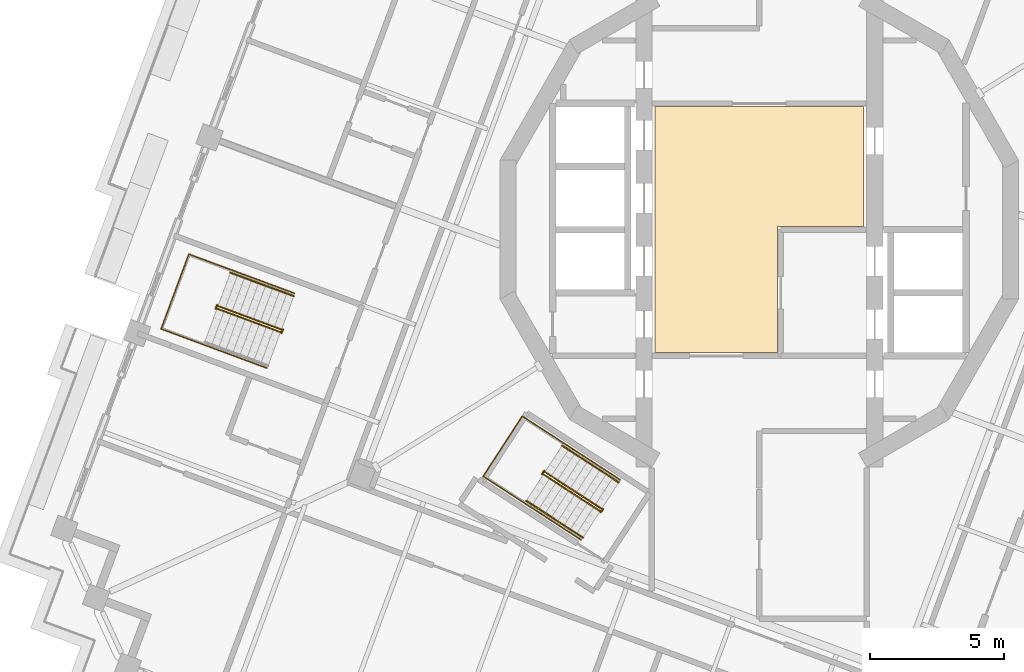
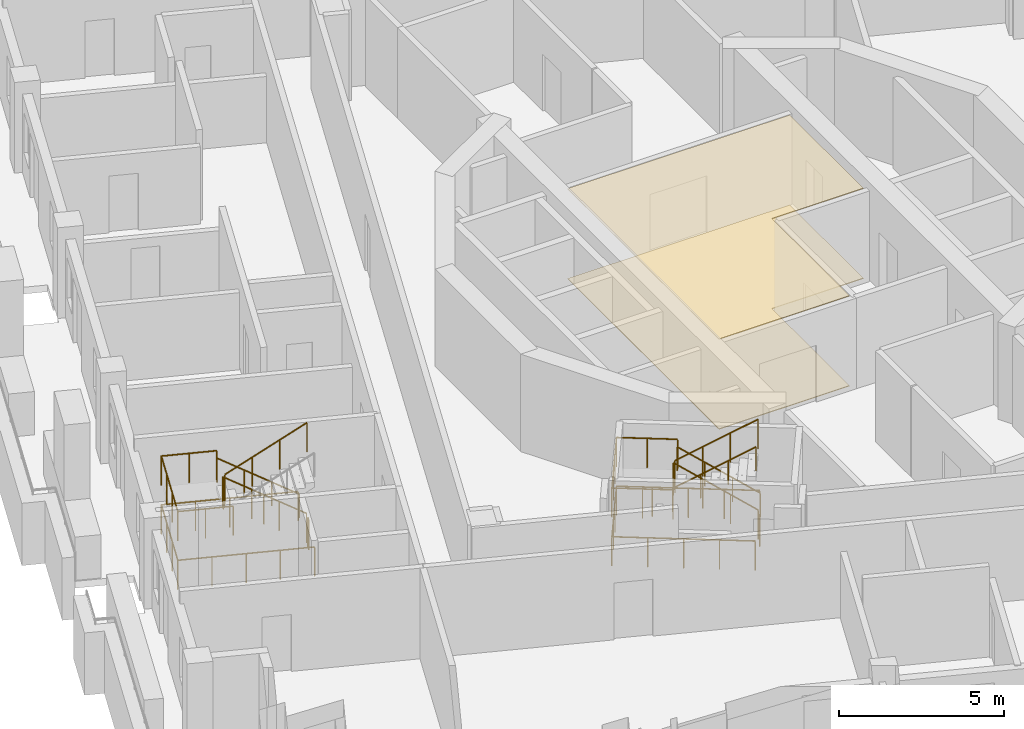
# One storey, part 13 of 19: 13 railings, 2 coverings.
"""IFC4 building model written with IfcOpenShell, lengths in metres."""

from ifc_helpers import new_model, si_unit, direction, frame, origin, origin_2d, place, context, subcontext, project, spatial, polyline, circle, outline, extrude, material, layer, layer_set, type_object, element, save


model = new_model("IFC4")

# Units and contexts
model_context = context("Model", 3, precision=1e-05, world=origin(), true_north=direction((0.0, 1.0)))
body_context = subcontext(model_context, "Body", "Model", "MODEL_VIEW")
ifc_project = project(units=[si_unit("LENGTHUNIT", "METRE"), si_unit("AREAUNIT", "SQUARE_METRE"), si_unit("VOLUMEUNIT", "CUBIC_METRE"), si_unit("PLANEANGLEUNIT", "RADIAN"), si_unit("MASSUNIT", "GRAM", prefix="KILO")], contexts=[model_context])

# Site, building, storey
site_placement = place(None, origin())
site = spatial("IfcSite", under=ifc_project, at=site_placement, CompositionType="ELEMENT")
building_placement = place(site_placement, origin())
building = spatial("IfcBuilding", under=site, at=building_placement, Name="Cantera Rosa Tower", CompositionType="ELEMENT")
storey_placement = place(building_placement, frame((0.0, 0.0, 327.699951171875)))
storey = spatial("IfcBuildingStorey", under=building, at=storey_placement, Name="L73", CompositionType="ELEMENT", Elevation=327.699951171875)

# Railings
ifc_material_1 = material(Name="Steel S355J2 (EN 10025-2)", Category="steel")
railing_type_1 = type_object("IfcRailingType", Name="STAIR GUARD 1100", PredefinedType="GUARDRAIL", material=ifc_material_1)
railing_1_placement = place(storey_placement, frame((-17.802490234375, -3.721923828125, 0.179931640625)))
element("IfcRailing", 1, at=railing_1_placement, inside=storey, type_object=railing_type_1, Name="L73 ST-63 stair guard 1", PredefinedType="GUARDRAIL", context=body_context, shape_type="SweptSolid", body=[
    extrude(circle(Radius=0.02392578125, at=origin_2d()), frame((0.0, 0.0, 1.076171875), z_axis=(-0.788747577403, 0.292306804437, 0.540771662738), x_axis=(-0.347500508527, -0.937679794265, 0.0)), (0.0, 0.0, 1.0), 2.995849609375),
    extrude(circle(Radius=0.02392578125, at=origin_2d()), frame((-2.363037109375, 0.875732421875, 2.6962890625), z_axis=(-0.671593765389, 0.740919573429, 0.0), x_axis=(-0.740919573429, -0.671593765389, 0.0)), (0.0, 0.0, 1.0), 0.056396484375),
    extrude(circle(Radius=0.02392578125, at=origin_2d()), frame((-2.40087890625, 0.91748046875, 2.6962890625), z_axis=(-0.348268249601, -0.937394914814, 0.0), x_axis=(0.937394914814, -0.348268249601, 0.0)), (0.0, 0.0, 1.0), 0.14990234375),
    extrude(circle(Radius=0.02099609375, at=origin_2d()), origin(), (0.0, 0.0, 1.0), 1.052001953125),
    extrude(circle(Radius=0.02099609375, at=origin_2d()), frame((-0.78759765625, 0.2919921875, 0.5400390625)), (0.0, 0.0, 1.0), 1.052001953125),
    extrude(circle(Radius=0.02099609375, at=origin_2d()), frame((-1.575439453125, 0.583740234375, 1.080078125)), (0.0, 0.0, 1.0), 1.052001953125),
    extrude(circle(Radius=0.02099609375, at=origin_2d()), frame((-2.363037109375, 0.875732421875, 1.6201171875)), (0.0, 0.0, 1.0), 1.052001953125),
    extrude(circle(Radius=0.02099609375, at=origin_2d()), frame((-2.40087890625, 0.91748046875, 1.6201171875)), (0.0, 0.0, 1.0), 1.052001953125),
    extrude(circle(Radius=0.02099609375, at=origin_2d()), frame((-2.453125, 0.77685546875, 1.6201171875)), (0.0, 0.0, 1.0), 1.052001953125),
])
railing_2_placement = place(storey_placement, frame((-20.19970703125, -2.93798828125, 1.97998046875)))
element("IfcRailing", 2, at=railing_2_placement, inside=storey, type_object=railing_type_1, Name="L73 ST-63 stair guard 2", PredefinedType="GUARDRAIL", context=body_context, shape_type="SweptSolid", body=[
    extrude(circle(Radius=0.02392578125, at=origin_2d()), frame((0.0, 0.0, 1.076171875), z_axis=(0.788747577403, -0.292306804437, 0.540771662738), x_axis=(0.347500508527, 0.937679794265, 0.0)), (0.0, 0.0, 1.0), 2.995849609375),
    extrude(circle(Radius=0.02099609375, at=origin_2d()), origin(), (0.0, 0.0, 1.0), 1.052001953125),
    extrude(circle(Radius=0.02099609375, at=origin_2d()), frame((0.78759765625, -0.2919921875, 0.5400390625)), (0.0, 0.0, 1.0), 1.052001953125),
    extrude(circle(Radius=0.02099609375, at=origin_2d()), frame((1.575439453125, -0.583740234375, 1.080078125)), (0.0, 0.0, 1.0), 1.052001953125),
    extrude(circle(Radius=0.02099609375, at=origin_2d()), frame((2.363037109375, -0.875732421875, 1.6201171875)), (0.0, 0.0, 1.0), 1.052001953125),
])
railing_3_placement = place(storey_placement, frame((-17.74658203125, -3.71484375, 0.0)))
element("IfcRailing", 3, at=railing_3_placement, inside=storey, type_object=railing_type_1, Name="L73 ST-63 stair guard 3", PredefinedType="GUARDRAIL", context=body_context, shape_type="SweptSolid", body=[
    extrude(circle(Radius=0.02392578125, at=origin_2d()), frame((0.0, 0.0, 1.076171875), z_axis=(-0.348268249601, -0.937394914814, 0.0), x_axis=(0.937394914814, -0.348268249601, 0.0)), (0.0, 0.0, 1.0), 0.14990234375),
    extrude(circle(Radius=0.02099609375, at=origin_2d()), origin(), (0.0, 0.0, 1.0), 1.052001953125),
    extrude(circle(Radius=0.02099609375, at=origin_2d()), frame((-0.05224609375, -0.140625, 0.0)), (0.0, 0.0, 1.0), 1.052001953125),
])
railing_4_placement = place(storey_placement, frame((-17.31494140625, -2.37109375, 0.0)))
element("IfcRailing", 4, at=railing_4_placement, inside=storey, type_object=railing_type_1, Name="L73 ST-63 stair guard 4", PredefinedType="GUARDRAIL", context=body_context, shape_type="SweptSolid", body=[
    extrude(circle(Radius=0.02392578125, at=origin_2d()), frame((0.0, 0.0, 1.076171875), z_axis=(-0.937682096729, 0.3474942956, 0.0), x_axis=(-0.3474942956, -0.937682096729, 0.0)), (0.0, 0.0, 1.0), 4.197998046875),
    extrude(circle(Radius=0.02392578125, at=origin_2d()), frame((-3.936279296875, 1.458740234375, 1.076171875), z_axis=(-0.347472311651, -0.937690243436, 0.0), x_axis=(0.937690243436, -0.347472311651, 0.0)), (0.0, 0.0, 1.0), 2.969970703125),
    extrude(circle(Radius=0.02392578125, at=origin_2d()), frame((-4.96826171875, -1.326171875, 1.076171875), z_axis=(0.937682096729, -0.3474942956, 0.0), x_axis=(0.3474942956, 0.937682096729, 0.0)), (0.0, 0.0, 1.0), 4.197998046875),
    extrude(circle(Radius=0.02099609375, at=origin_2d()), origin(), (0.0, 0.0, 1.0), 1.052001953125),
    extrude(circle(Radius=0.02099609375, at=origin_2d()), frame((-0.984130859375, 0.36474609375, 0.0)), (0.0, 0.0, 1.0), 1.052001953125),
    extrude(circle(Radius=0.02099609375, at=origin_2d()), frame((-1.96826171875, 0.7294921875, 0.0)), (0.0, 0.0, 1.0), 1.052001953125),
    extrude(circle(Radius=0.02099609375, at=origin_2d()), frame((-2.9521484375, 1.093994140625, 0.0)), (0.0, 0.0, 1.0), 1.052001953125),
    extrude(circle(Radius=0.02099609375, at=origin_2d()), frame((-3.936279296875, 1.458740234375, 0.0)), (0.0, 0.0, 1.0), 1.052001953125),
    extrude(circle(Radius=0.02099609375, at=origin_2d()), frame((-4.2802734375, 0.530517578125, 0.0)), (0.0, 0.0, 1.0), 1.052001953125),
    extrude(circle(Radius=0.02099609375, at=origin_2d()), frame((-4.624267578125, -0.39794921875, 0.0)), (0.0, 0.0, 1.0), 1.052001953125),
    extrude(circle(Radius=0.02099609375, at=origin_2d()), frame((-4.96826171875, -1.326171875, 0.0)), (0.0, 0.0, 1.0), 1.052001953125),
    extrude(circle(Radius=0.02099609375, at=origin_2d()), frame((-3.984130859375, -1.69091796875, 0.0)), (0.0, 0.0, 1.0), 1.052001953125),
    extrude(circle(Radius=0.02099609375, at=origin_2d()), frame((-3.0, -2.0556640625, 0.0)), (0.0, 0.0, 1.0), 1.052001953125),
    extrude(circle(Radius=0.02099609375, at=origin_2d()), frame((-2.01611328125, -2.420166015625, 0.0)), (0.0, 0.0, 1.0), 1.052001953125),
    extrude(circle(Radius=0.02099609375, at=origin_2d()), frame((-1.031982421875, -2.784912109375, 0.0)), (0.0, 0.0, 1.0), 1.052001953125),
])
railing_5_placement = place(storey_placement, frame((-19.6552734375, -1.50390625, 1.800048828125)))
element("IfcRailing", 5, at=railing_5_placement, inside=storey, type_object=railing_type_1, Name="L73 ST-63 stair guard 5", PredefinedType="GUARDRAIL", context=body_context, shape_type="SweptSolid", body=[
    extrude(circle(Radius=0.02392578125, at=origin_2d()), frame((0.0, 0.0, 1.076171875), z_axis=(-0.937660486946, 0.347552602091, 0.0), x_axis=(-0.347552602091, -0.937660486946, 0.0)), (0.0, 0.0, 1.0), 1.7021484375),
    extrude(circle(Radius=0.02392578125, at=origin_2d()), frame((-1.595947265625, 0.591552734375, 1.076171875), z_axis=(-0.347472311651, -0.937690243436, 0.0), x_axis=(0.937690243436, -0.347472311651, 0.0)), (0.0, 0.0, 1.0), 2.969970703125),
    extrude(circle(Radius=0.02392578125, at=origin_2d()), frame((-2.6279296875, -2.193359375, 1.076171875), z_axis=(0.937660486946, -0.347552602091, 0.0), x_axis=(0.347552602091, 0.937660486946, 0.0)), (0.0, 0.0, 1.0), 1.7021484375),
    extrude(circle(Radius=0.02099609375, at=origin_2d()), origin(), (0.0, 0.0, 1.0), 1.052001953125),
    extrude(circle(Radius=0.02099609375, at=origin_2d()), frame((-0.7978515625, 0.2958984375, 0.0)), (0.0, 0.0, 1.0), 1.052001953125),
    extrude(circle(Radius=0.02099609375, at=origin_2d()), frame((-1.595947265625, 0.591552734375, 0.0)), (0.0, 0.0, 1.0), 1.052001953125),
    extrude(circle(Radius=0.02099609375, at=origin_2d()), frame((-1.93994140625, -0.336669921875, 0.0)), (0.0, 0.0, 1.0), 1.052001953125),
    extrude(circle(Radius=0.02099609375, at=origin_2d()), frame((-2.283935546875, -1.26513671875, 0.0)), (0.0, 0.0, 1.0), 1.052001953125),
    extrude(circle(Radius=0.02099609375, at=origin_2d()), frame((-2.6279296875, -2.193359375, 0.0)), (0.0, 0.0, 1.0), 1.052001953125),
    extrude(circle(Radius=0.02099609375, at=origin_2d()), frame((-1.830078125, -2.4892578125, 0.0)), (0.0, 0.0, 1.0), 1.052001953125),
    extrude(circle(Radius=0.02099609375, at=origin_2d()), frame((-1.031982421875, -2.784912109375, 0.0)), (0.0, 0.0, 1.0), 1.052001953125),
])
railing_6_placement = place(storey_placement, frame((-5.873291015625, -10.403076171875, 0.179931640625)))
element("IfcRailing", 6, at=railing_6_placement, inside=storey, type_object=railing_type_1, Name="L73 ST-64 stair guard 1", PredefinedType="GUARDRAIL", context=body_context, shape_type="SweptSolid", body=[
    extrude(circle(Radius=0.02392578125, at=origin_2d()), frame((0.0, 0.0, 1.076171875), z_axis=(-0.705462015847, 0.458138784, 0.540770005448), x_axis=(-0.544644381691, -0.838667095749, 0.0)), (0.0, 0.0, 1.0), 2.995849609375),
    extrude(circle(Radius=0.02392578125, at=origin_2d()), frame((-2.113525390625, 1.37255859375, 2.6962890625), z_axis=(-0.49520304401, 0.868777270193, 0.0), x_axis=(-0.868777270193, -0.49520304401, 0.0)), (0.0, 0.0, 1.0), 0.05615234375),
    extrude(circle(Radius=0.02392578125, at=origin_2d()), frame((-2.141357421875, 1.42138671875, 2.6962890625), z_axis=(-0.544129121324, -0.839001489467, 0.0), x_axis=(0.839001489467, -0.544129121324, 0.0)), (0.0, 0.0, 1.0), 0.14990234375),
    extrude(circle(Radius=0.02099609375, at=origin_2d()), origin(), (0.0, 0.0, 1.0), 1.052001953125),
    extrude(circle(Radius=0.02099609375, at=origin_2d()), frame((-0.70458984375, 0.45751953125, 0.5400390625)), (0.0, 0.0, 1.0), 1.052001953125),
    extrude(circle(Radius=0.02099609375, at=origin_2d()), frame((-1.408935546875, 0.9150390625, 1.080078125)), (0.0, 0.0, 1.0), 1.052001953125),
    extrude(circle(Radius=0.02099609375, at=origin_2d()), frame((-2.113525390625, 1.37255859375, 1.6201171875)), (0.0, 0.0, 1.0), 1.052001953125),
    extrude(circle(Radius=0.02099609375, at=origin_2d()), frame((-2.141357421875, 1.42138671875, 1.6201171875)), (0.0, 0.0, 1.0), 1.052001953125),
    extrude(circle(Radius=0.02099609375, at=origin_2d()), frame((-2.222900390625, 1.295654296875, 1.6201171875)), (0.0, 0.0, 1.0), 1.052001953125),
])
railing_7_placement = place(storey_placement, frame((-8.040283203125, -9.11279296875, 1.97998046875)))
element("IfcRailing", 7, at=railing_7_placement, inside=storey, type_object=railing_type_1, Name="L73 ST-64 stair guard 2", PredefinedType="GUARDRAIL", context=body_context, shape_type="SweptSolid", body=[
    extrude(circle(Radius=0.02392578125, at=origin_2d()), frame((0.0, 0.0, 1.076171875), z_axis=(0.705462015847, -0.458138784, 0.540770005448), x_axis=(0.544644381691, 0.838667095749, 0.0)), (0.0, 0.0, 1.0), 2.995849609375),
    extrude(circle(Radius=0.02099609375, at=origin_2d()), origin(), (0.0, 0.0, 1.0), 1.052001953125),
    extrude(circle(Radius=0.02099609375, at=origin_2d()), frame((0.70458984375, -0.45751953125, 0.5400390625)), (0.0, 0.0, 1.0), 1.052001953125),
    extrude(circle(Radius=0.02099609375, at=origin_2d()), frame((1.408935546875, -0.9150390625, 1.080078125)), (0.0, 0.0, 1.0), 1.052001953125),
    extrude(circle(Radius=0.02099609375, at=origin_2d()), frame((2.113525390625, -1.37255859375, 1.6201171875)), (0.0, 0.0, 1.0), 1.052001953125),
])
railing_8_placement = place(storey_placement, frame((-5.8173828125, -10.408447265625, 0.0)))
element("IfcRailing", 8, at=railing_8_placement, inside=storey, type_object=railing_type_1, Name="L73 ST-64 stair guard 3", PredefinedType="GUARDRAIL", context=body_context, shape_type="SweptSolid", body=[
    extrude(circle(Radius=0.02392578125, at=origin_2d()), frame((0.0, 0.0, 1.076171875), z_axis=(-0.543386185195, -0.839482848984, 0.0), x_axis=(0.839482848984, -0.543386185195, 0.0)), (0.0, 0.0, 1.0), 0.150146484375),
    extrude(circle(Radius=0.02099609375, at=origin_2d()), origin(), (0.0, 0.0, 1.0), 1.052001953125),
    extrude(circle(Radius=0.02099609375, at=origin_2d()), frame((-0.08154296875, -0.1259765625, 0.0)), (0.0, 0.0, 1.0), 1.052001953125),
])
railing_9_placement = place(storey_placement, frame((-5.18310546875, -9.318115234375, 0.0)))
element("IfcRailing", 9, at=railing_9_placement, inside=storey, type_object=railing_type_1, Name="L73 ST-64 stair guard 4", PredefinedType="GUARDRAIL", context=body_context, shape_type="SweptSolid", body=[
    extrude(circle(Radius=0.02392578125, at=origin_2d()), frame((0.0, 0.0, 1.076171875), z_axis=(-0.838659072691, 0.544656735746, 0.0), x_axis=(-0.544656735746, -0.838659072691, 0.0)), (0.0, 0.0, 1.0), 4.347900390625),
    extrude(circle(Radius=0.02392578125, at=origin_2d()), frame((-3.646484375, 2.3681640625, 1.076171875), z_axis=(-0.544615466587, -0.838685872991, 0.0), x_axis=(0.838685872991, -0.544615466587, 0.0)), (0.0, 0.0, 1.0), 2.669921875),
    extrude(circle(Radius=0.02392578125, at=origin_2d()), frame((-5.1005859375, 0.12890625, 1.076171875), z_axis=(0.838659072691, -0.544656735746, 0.0), x_axis=(0.544656735746, 0.838659072691, 0.0)), (0.0, 0.0, 1.0), 4.347900390625),
    extrude(circle(Radius=0.02099609375, at=origin_2d()), origin(), (0.0, 0.0, 1.0), 1.052001953125),
    extrude(circle(Radius=0.02099609375, at=origin_2d()), frame((-0.91162109375, 0.592041015625, 0.0)), (0.0, 0.0, 1.0), 1.052001953125),
    extrude(circle(Radius=0.02099609375, at=origin_2d()), frame((-1.8232421875, 1.18408203125, 0.0)), (0.0, 0.0, 1.0), 1.052001953125),
    extrude(circle(Radius=0.02099609375, at=origin_2d()), frame((-2.73486328125, 1.776123046875, 0.0)), (0.0, 0.0, 1.0), 1.052001953125),
    extrude(circle(Radius=0.02099609375, at=origin_2d()), frame((-3.646484375, 2.3681640625, 0.0)), (0.0, 0.0, 1.0), 1.052001953125),
    extrude(circle(Radius=0.02099609375, at=origin_2d()), frame((-4.131103515625, 1.621826171875, 0.0)), (0.0, 0.0, 1.0), 1.052001953125),
    extrude(circle(Radius=0.02099609375, at=origin_2d()), frame((-4.615966796875, 0.875244140625, 0.0)), (0.0, 0.0, 1.0), 1.052001953125),
    extrude(circle(Radius=0.02099609375, at=origin_2d()), frame((-5.1005859375, 0.12890625, 0.0)), (0.0, 0.0, 1.0), 1.052001953125),
    extrude(circle(Radius=0.02099609375, at=origin_2d()), frame((-4.18896484375, -0.463134765625, 0.0)), (0.0, 0.0, 1.0), 1.052001953125),
    extrude(circle(Radius=0.02099609375, at=origin_2d()), frame((-3.27734375, -1.05517578125, 0.0)), (0.0, 0.0, 1.0), 1.052001953125),
    extrude(circle(Radius=0.02099609375, at=origin_2d()), frame((-2.36572265625, -1.647216796875, 0.0)), (0.0, 0.0, 1.0), 1.052001953125),
    extrude(circle(Radius=0.02099609375, at=origin_2d()), frame((-1.4541015625, -2.2392578125, 0.0)), (0.0, 0.0, 1.0), 1.052001953125),
])
railing_10_placement = place(storey_placement, frame((-7.2763671875, -7.95849609375, 1.800048828125)))
element("IfcRailing", 10, at=railing_10_placement, inside=storey, type_object=railing_type_1, Name="L73 ST-64 stair guard 5", PredefinedType="GUARDRAIL", context=body_context, shape_type="SweptSolid", body=[
    extrude(circle(Radius=0.02392578125, at=origin_2d()), frame((0.0, 0.0, 1.076171875), z_axis=(-0.838702547883, 0.544589787064, 0.0), x_axis=(-0.544589787064, -0.838702547883, 0.0)), (0.0, 0.0, 1.0), 1.85205078125),
    extrude(circle(Radius=0.02392578125, at=origin_2d()), frame((-1.55322265625, 1.008544921875, 1.076171875), z_axis=(-0.544615466587, -0.838685872991, 0.0), x_axis=(0.838685872991, -0.544615466587, 0.0)), (0.0, 0.0, 1.0), 2.669921875),
    extrude(circle(Radius=0.02392578125, at=origin_2d()), frame((-3.00732421875, -1.230712890625, 1.076171875), z_axis=(0.838702547883, -0.544589787064, 0.0), x_axis=(0.544589787064, 0.838702547883, 0.0)), (0.0, 0.0, 1.0), 1.85205078125),
    extrude(circle(Radius=0.02099609375, at=origin_2d()), origin(), (0.0, 0.0, 1.0), 1.052001953125),
    extrude(circle(Radius=0.02099609375, at=origin_2d()), frame((-0.776611328125, 0.50439453125, 0.0)), (0.0, 0.0, 1.0), 1.052001953125),
    extrude(circle(Radius=0.02099609375, at=origin_2d()), frame((-1.55322265625, 1.008544921875, 0.0)), (0.0, 0.0, 1.0), 1.052001953125),
    extrude(circle(Radius=0.02099609375, at=origin_2d()), frame((-2.037841796875, 0.26220703125, 0.0)), (0.0, 0.0, 1.0), 1.052001953125),
    extrude(circle(Radius=0.02099609375, at=origin_2d()), frame((-2.522705078125, -0.484375, 0.0)), (0.0, 0.0, 1.0), 1.052001953125),
    extrude(circle(Radius=0.02099609375, at=origin_2d()), frame((-3.00732421875, -1.230712890625, 0.0)), (0.0, 0.0, 1.0), 1.052001953125),
    extrude(circle(Radius=0.02099609375, at=origin_2d()), frame((-2.230712890625, -1.73486328125, 0.0)), (0.0, 0.0, 1.0), 1.052001953125),
    extrude(circle(Radius=0.02099609375, at=origin_2d()), frame((-1.4541015625, -2.2392578125, 0.0)), (0.0, 0.0, 1.0), 1.052001953125),
])
ifc_material_2 = material(Name="Steel S355J2 (EN 10025-2)", Category="steel")
railing_type_2 = type_object("IfcRailingType", Name="STAIR HANDRAIL 900", PredefinedType="HANDRAIL", material=ifc_material_2)
railing_11_placement = place(storey_placement, frame((-17.341796875, -2.478515625, 0.179931640625)))
element("IfcRailing", 11, at=railing_11_placement, inside=storey, type_object=railing_type_2, Name="L73 ST-63 stair handrail 1", PredefinedType="HANDRAIL", context=body_context, shape_type="SweptSolid", body=[
    extrude(circle(Radius=0.02392578125, at=origin_2d()), frame((0.0, 0.0, 0.8759765625), z_axis=(-0.788747577403, 0.292306804437, 0.540771662738), x_axis=(-0.347500508527, -0.937679794265, 0.0)), (0.0, 0.0, 1.0), 2.995849609375),
    extrude(circle(Radius=0.02099609375, at=origin_2d()), origin(), (0.0, 0.0, 1.0), 0.851806640625),
    extrude(circle(Radius=0.02099609375, at=origin_2d()), frame((-0.78759765625, 0.2919921875, 0.5400390625)), (0.0, 0.0, 1.0), 0.851806640625),
    extrude(circle(Radius=0.02099609375, at=origin_2d()), frame((-1.575439453125, 0.583740234375, 1.080078125)), (0.0, 0.0, 1.0), 0.851806640625),
    extrude(circle(Radius=0.02099609375, at=origin_2d()), frame((-2.363037109375, 0.875732421875, 1.6201171875)), (0.0, 0.0, 1.0), 0.851806640625),
])
railing_12_placement = place(storey_placement, frame((-5.23291015625, -9.416748046875, 0.179931640625)))
element("IfcRailing", 12, at=railing_12_placement, inside=storey, type_object=railing_type_2, Name="L73 ST-64 stair handrail 1", PredefinedType="HANDRAIL", context=body_context, shape_type="SweptSolid", body=[
    extrude(circle(Radius=0.02392578125, at=origin_2d()), frame((0.0, 0.0, 0.8759765625), z_axis=(-0.705488352623, 0.458074394142, 0.540790193832), x_axis=(-0.544576236413, -0.838711346492, 0.0)), (0.0, 0.0, 1.0), 2.995849609375),
    extrude(circle(Radius=0.02099609375, at=origin_2d()), origin(), (0.0, 0.0, 1.0), 0.851806640625),
    extrude(circle(Radius=0.02099609375, at=origin_2d()), frame((-0.70458984375, 0.45751953125, 0.5400390625)), (0.0, 0.0, 1.0), 0.851806640625),
    extrude(circle(Radius=0.02099609375, at=origin_2d()), frame((-1.408935546875, 0.914794921875, 1.080078125)), (0.0, 0.0, 1.0), 0.851806640625),
    extrude(circle(Radius=0.02099609375, at=origin_2d()), frame((-2.113525390625, 1.372314453125, 1.6201171875)), (0.0, 0.0, 1.0), 0.851806640625),
])
railing_13_placement = place(storey_placement, frame((-8.6806640625, -10.09912109375, 1.97998046875)))
element("IfcRailing", 13, at=railing_13_placement, inside=storey, type_object=railing_type_2, Name="L73 ST-64 stair handrail 2", PredefinedType="HANDRAIL", context=body_context, shape_type="SweptSolid", body=[
    extrude(circle(Radius=0.02392578125, at=origin_2d()), frame((0.0, 0.0, 0.8759765625), z_axis=(0.705462015847, -0.458138784, 0.540770005448), x_axis=(0.544644381691, 0.838667095749, 0.0)), (0.0, 0.0, 1.0), 2.995849609375),
    extrude(circle(Radius=0.02099609375, at=origin_2d()), origin(), (0.0, 0.0, 1.0), 0.851806640625),
    extrude(circle(Radius=0.02099609375, at=origin_2d()), frame((0.70458984375, -0.45751953125, 0.5400390625)), (0.0, 0.0, 1.0), 0.851806640625),
    extrude(circle(Radius=0.02099609375, at=origin_2d()), frame((1.408935546875, -0.9150390625, 1.080078125)), (0.0, 0.0, 1.0), 0.851806640625),
    extrude(circle(Radius=0.02099609375, at=origin_2d()), frame((2.113525390625, -1.37255859375, 1.6201171875)), (0.0, 0.0, 1.0), 0.851806640625),
])

# Coverings
ifc_material_3 = material(Name="Limestone paving", Category="masonry")
ifc_layer_1 = layer(ifc_material_3, 0.02490234375)
ifc_layer_set_1 = layer_set([ifc_layer_1], Name="STONE FLOOR FINISH 25")
covering_type_1 = type_object("IfcCoveringType", Name="STONE FLOOR FINISH 25", PredefinedType="FLOORING", material=ifc_layer_set_1)
covering_1_placement = place(storey_placement, origin())
element("IfcCovering", 14, at=covering_1_placement, inside=storey, type_object=covering_type_1, Name="STONE FLOOR FINISH L73", PredefinedType="FLOORING", context=body_context, shape_type="SweptSolid", body=[
    extrude(outline(polyline([(3.8798828125, 4.580078125), (3.8798828125, 0.1201171875), (0.679931640625, 0.1201171875), (0.679931640625, -4.580078125), (-3.8798828125, -4.580078125), (-3.8798828125, 4.580078125), (3.8798828125, 4.580078125)])), origin(), (0.0, 0.0, 1.0), 0.025146484375),
])
ifc_material_4 = material(Name="Gypsum ceiling tile")
ifc_layer_2 = layer(ifc_material_4, 0.030029296875)
ifc_layer_set_2 = layer_set([ifc_layer_2], Name="SUSPENDED CEILING 30")
covering_type_2 = type_object("IfcCoveringType", Name="SUSPENDED CEILING 30", PredefinedType="CEILING", material=ifc_layer_set_2)
covering_2_placement = place(storey_placement, frame((0.0, 0.0, 3.320068359375)))
element("IfcCovering", 15, at=covering_2_placement, inside=storey, type_object=covering_type_2, Name="SUSPENDED CEILING L73", PredefinedType="CEILING", context=body_context, shape_type="SweptSolid", body=[
    extrude(outline(polyline([(3.8798828125, 4.580078125), (3.8798828125, 0.1201171875), (0.679931640625, 0.1201171875), (0.679931640625, -4.580078125), (-3.8798828125, -4.580078125), (-3.8798828125, 4.580078125), (3.8798828125, 4.580078125)])), origin(), (0.0, 0.0, 1.0), 0.030029296875),
])

save(model, "model.ifc")
